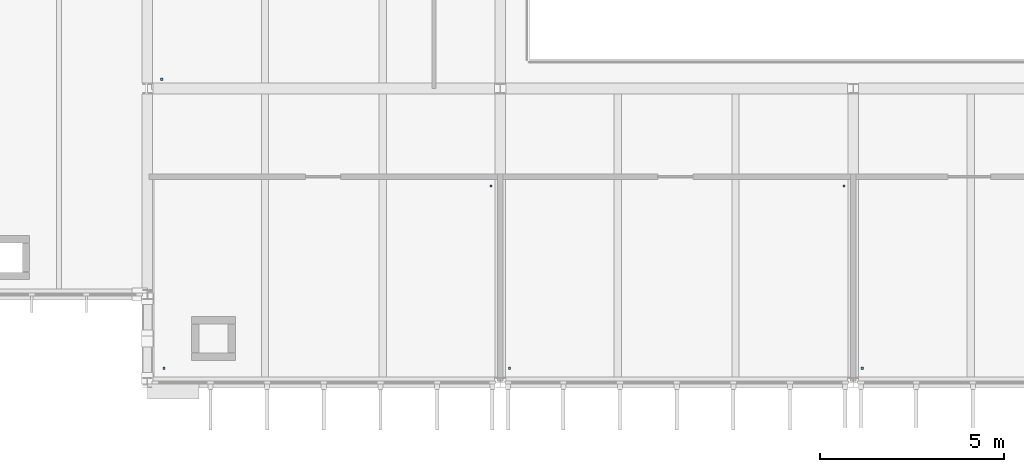
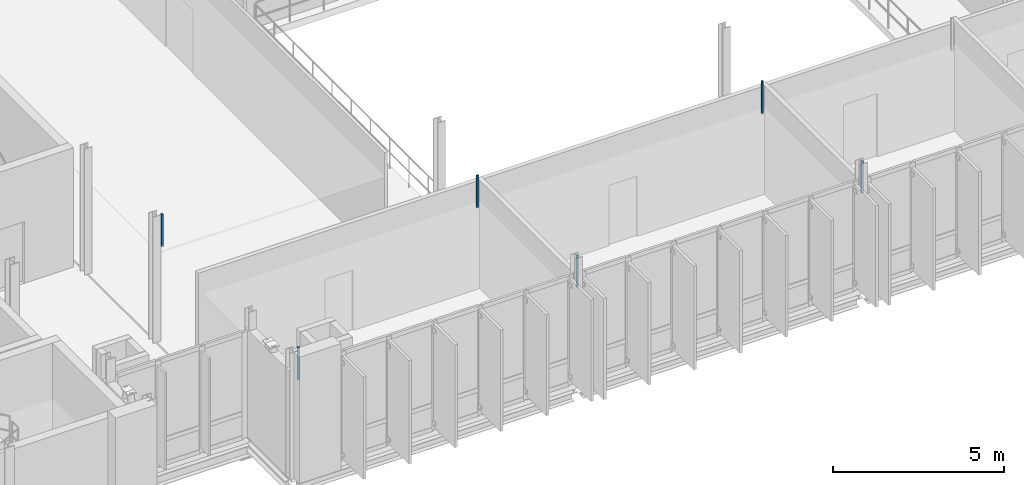
# One storey, part 61 of 93: 6 discrete accessories.
"""IFC4 building model written with IfcOpenShell, lengths in metres."""

from ifc_helpers import new_model, si_unit, direction, frame, origin, place, context, subcontext, project, spatial, polyline, outline, extrude, material, type_object, element, save


model = new_model("IFC4")

# Units and contexts
model_context = context("Model", 3, precision=1e-05, world=origin(), true_north=direction((0.0, 1.0)))
body_context = subcontext(model_context, "Body", "Model", "MODEL_VIEW")
ifc_project = project(units=[si_unit("LENGTHUNIT", "METRE"), si_unit("AREAUNIT", "SQUARE_METRE"), si_unit("VOLUMEUNIT", "CUBIC_METRE"), si_unit("PLANEANGLEUNIT", "RADIAN"), si_unit("MASSUNIT", "GRAM", prefix="KILO")], contexts=[model_context])

# Site, building, storey
site_placement = place(None, origin())
site = spatial("IfcSite", under=ifc_project, at=site_placement, CompositionType="ELEMENT")
building_placement = place(site_placement, origin())
building = spatial("IfcBuilding", under=site, at=building_placement, Name="Dunescarp Central Library", CompositionType="ELEMENT")
storey_placement = place(building_placement, frame((0.0, 0.0, 14.10009765625)))
storey = spatial("IfcBuildingStorey", under=building, at=storey_placement, Name="L03", CompositionType="ELEMENT", Elevation=14.10009765625)

# Discrete accessories
ifc_material = material(Name="Stainless steel Grade 316L", Category="steel")
discrete_accessory_type = type_object("IfcDiscreteAccessoryType", Name="ARC-ACC-BRK", PredefinedType="BRACKET", material=ifc_material)
discrete_accessory_1_placement = place(storey_placement, frame((0.0, 0.0, 3.059814453125)))
element("IfcDiscreteAccessory", 1, at=discrete_accessory_1_placement, inside=storey, type_object=discrete_accessory_type, Name="L03 ceiling hanger CLG-L03-068-H1", PredefinedType="BRACKET", context=body_context, shape_type="SweptSolid", body=[
    extrude(outline(polyline([(38.820068359375, 5.159912109375), (38.8798828125, 5.159912109375), (38.8798828125, 5.219970703125), (38.820068359375, 5.219970703125), (38.820068359375, 5.159912109375)])), origin(), (0.0, 0.0, 1.0), 1.150146484375),
])
discrete_accessory_2_placement = place(storey_placement, frame((0.0, 0.0, 3.059814453125)))
element("IfcDiscreteAccessory", 2, at=discrete_accessory_2_placement, inside=storey, type_object=discrete_accessory_type, Name="L03 ceiling hanger CLG-L03-068-H2", PredefinedType="BRACKET", context=body_context, shape_type="SweptSolid", body=[
    extrude(outline(polyline([(47.719970703125, 10.1201171875), (47.780029296875, 10.1201171875), (47.780029296875, 10.179931640625), (47.719970703125, 10.179931640625), (47.719970703125, 10.1201171875)])), origin(), (0.0, 0.0, 1.0), 1.150146484375),
])
discrete_accessory_3_placement = place(storey_placement, frame((0.0, 0.0, 3.059814453125)))
element("IfcDiscreteAccessory", 3, at=discrete_accessory_3_placement, inside=storey, type_object=discrete_accessory_type, Name="L03 ceiling hanger CLG-L03-069-H1", PredefinedType="BRACKET", context=body_context, shape_type="SweptSolid", body=[
    extrude(outline(polyline([(48.219970703125, 5.159912109375), (48.280029296875, 5.159912109375), (48.280029296875, 5.219970703125), (48.219970703125, 5.219970703125), (48.219970703125, 5.159912109375)])), origin(), (0.0, 0.0, 1.0), 1.150146484375),
])
discrete_accessory_4_placement = place(storey_placement, frame((0.0, 0.0, 3.059814453125)))
element("IfcDiscreteAccessory", 4, at=discrete_accessory_4_placement, inside=storey, type_object=discrete_accessory_type, Name="L03 ceiling hanger CLG-L03-069-H2", PredefinedType="BRACKET", context=body_context, shape_type="SweptSolid", body=[
    extrude(outline(polyline([(57.320068359375, 10.1201171875), (57.3798828125, 10.1201171875), (57.3798828125, 10.179931640625), (57.320068359375, 10.179931640625), (57.320068359375, 10.1201171875)])), origin(), (0.0, 0.0, 1.0), 1.150146484375),
])
discrete_accessory_5_placement = place(storey_placement, frame((0.0, 0.0, 3.059814453125)))
element("IfcDiscreteAccessory", 5, at=discrete_accessory_5_placement, inside=storey, type_object=discrete_accessory_type, Name="L03 ceiling hanger CLG-L03-070-H1", PredefinedType="BRACKET", context=body_context, shape_type="SweptSolid", body=[
    extrude(outline(polyline([(57.820068359375, 5.159912109375), (57.8798828125, 5.159912109375), (57.8798828125, 5.219970703125), (57.820068359375, 5.219970703125), (57.820068359375, 5.159912109375)])), origin(), (0.0, 0.0, 1.0), 1.150146484375),
])
discrete_accessory_6_placement = place(storey_placement, frame((0.0, 0.0, 3.059814453125)))
element("IfcDiscreteAccessory", 6, at=discrete_accessory_6_placement, inside=storey, type_object=discrete_accessory_type, Name="L03 ceiling hanger CLG-L03-071-H1", PredefinedType="BRACKET", context=body_context, shape_type="SweptSolid", body=[
    extrude(outline(polyline([(38.760009765625, 13.02001953125), (38.820068359375, 13.02001953125), (38.820068359375, 13.080078125), (38.760009765625, 13.080078125), (38.760009765625, 13.02001953125)])), origin(), (0.0, 0.0, 1.0), 1.150146484375),
])

save(model, "model.ifc")
